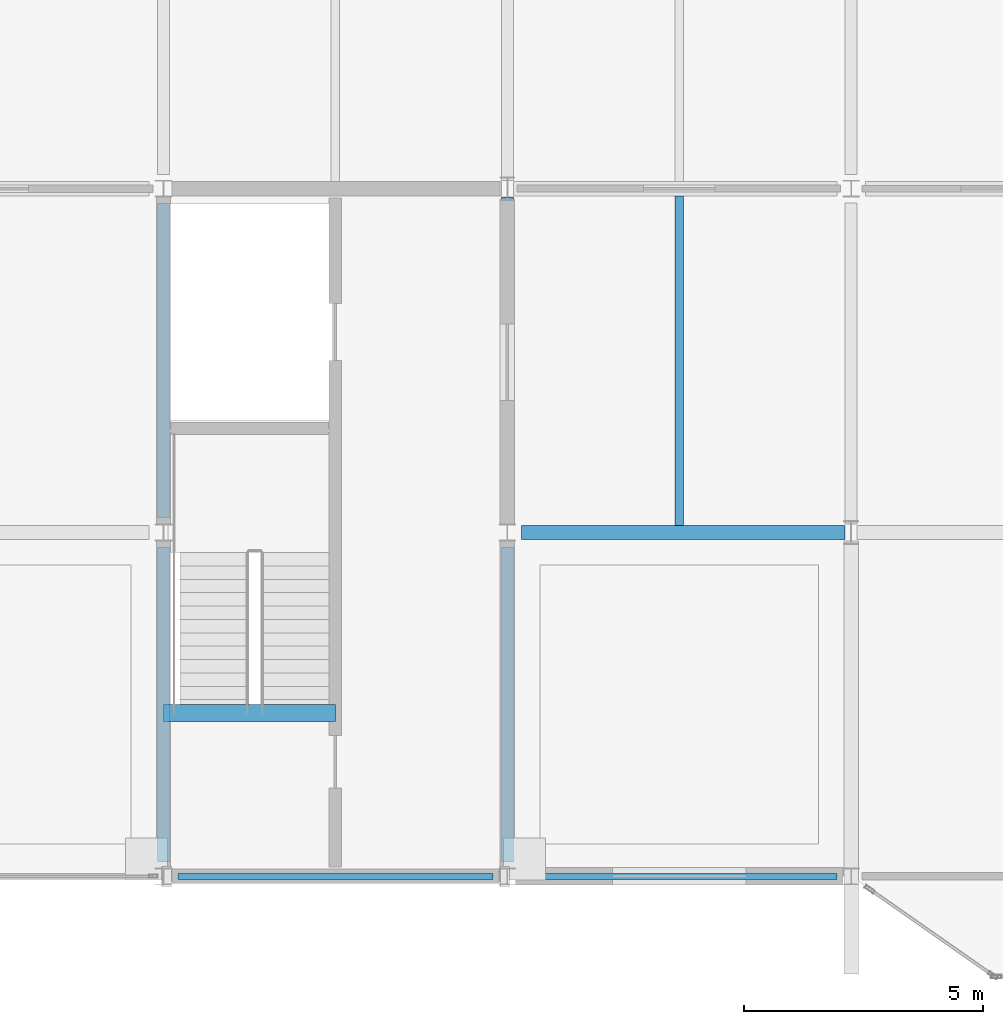
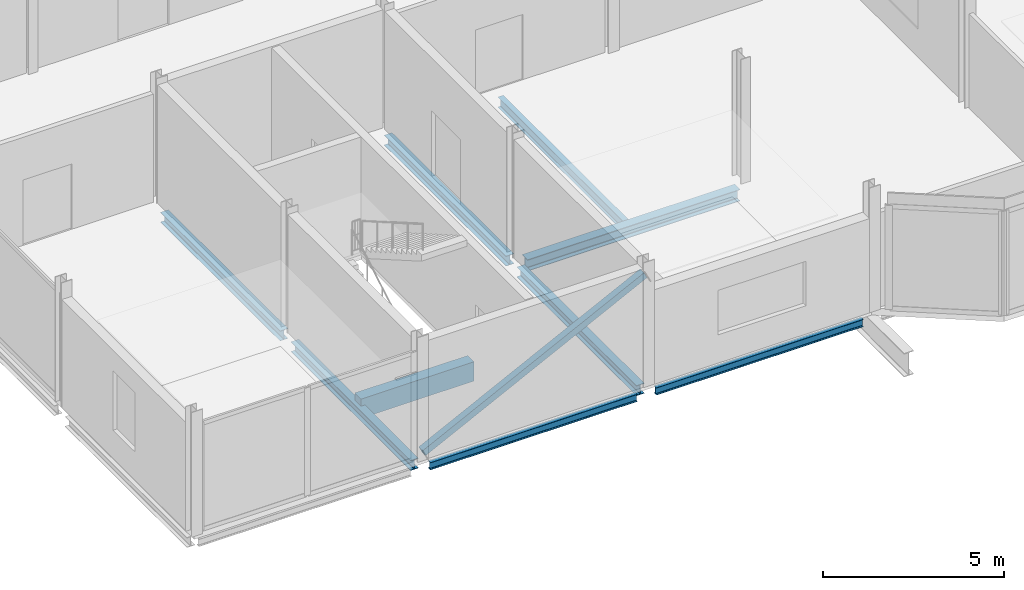
# One storey, part 6 of 26: 9 beams, 1 member.
"""IFC4 building model written with IfcOpenShell, lengths in metres."""

from ifc_helpers import new_model, si_unit, direction, frame, origin, origin_2d, place, context, subcontext, project, spatial, rectangle, hollow_rectangle, i_section, extrude, material, material_profile, profile_set, type_object, element, save


model = new_model("IFC4")

# Units and contexts
model_context = context("Model", 3, precision=1e-05, world=origin(), true_north=direction((0.0, 1.0)))
body_context = subcontext(model_context, "Body", "Model", "MODEL_VIEW")
ifc_project = project(units=[si_unit("LENGTHUNIT", "METRE"), si_unit("AREAUNIT", "SQUARE_METRE"), si_unit("VOLUMEUNIT", "CUBIC_METRE"), si_unit("PLANEANGLEUNIT", "RADIAN"), si_unit("MASSUNIT", "GRAM", prefix="KILO")], contexts=[model_context])

# Site, building, storey
site_placement = place(None, origin())
site = spatial("IfcSite", under=ifc_project, at=site_placement, CompositionType="ELEMENT")
building_placement = place(site_placement, origin())
building = spatial("IfcBuilding", under=site, at=building_placement, Name="Vesperath Aquatics Centre", CompositionType="ELEMENT")
storey_placement = place(building_placement, frame((0.0, 0.0, 19.199951171875)))
storey = spatial("IfcBuildingStorey", under=building, at=storey_placement, Name="L04", CompositionType="ELEMENT", Elevation=19.199951171875)

# Beams
ifc_material_1 = material(Name="Concrete C35", Category="concrete")
ifc_material_profile_1 = material_profile(ifc_material_1, rectangle(XDim=0.35009765625, YDim=0.64990234375, at=origin_2d()), Name="RC 350x650")
ifc_profile_set_1 = profile_set([ifc_material_profile_1], Name="Concrete C35")
beam_type_1 = type_object("IfcBeamType", Name="BM-G05", PredefinedType="BEAM", material=ifc_profile_set_1)
beam_1_placement = place(storey_placement, frame((122.39990234375, 3.419921875, -0.324951171875), z_axis=(1.0, 0.0, 0.0), x_axis=(0.0, 1.0, 0.0)))
element("IfcBeam", 1, at=beam_1_placement, inside=storey, type_object=beam_type_1, Name="Stair ST5 Landing Trimmer Beam B05 L04", PredefinedType="BEAM", context=body_context, shape_type="SweptSolid", body=[
    extrude(rectangle(XDim=0.35009765625, YDim=0.64990234375, at=origin_2d()), origin(), (0.0, 0.0, 1.0), 3.60009765625),
])
ifc_material_2 = material(Name="Steel Q355C", Category="steel")
ifc_material_profile_2 = material_profile(ifc_material_2, i_section(OverallWidth=0.300048828125, OverallDepth=0.389892578125, WebThickness=0.010009765625, FlangeThickness=0.01611328125, FilletRadius=0.02197265625, at=origin_2d()), Name="HM 390x300x10x16")
ifc_profile_set_2 = profile_set([ifc_material_profile_2], Name="Steel Q355C")
beam_type_2 = type_object("IfcBeamType", Name="BM-G11", PredefinedType="BEAM", material=ifc_profile_set_2)
beam_2_placement = place(storey_placement, frame((129.89990234375, 7.199951171875, -0.43505859375), z_axis=(1.0, 0.0, 0.0), x_axis=(0.0, 1.0, 0.0)))
element("IfcBeam", 2, at=beam_2_placement, inside=storey, type_object=beam_type_2, Name="Floor Girder B11 L04 B 19-20", PredefinedType="BEAM", context=body_context, shape_type="SweptSolid", body=[
    extrude(i_section(OverallWidth=0.300048828125, OverallDepth=0.389892578125, WebThickness=0.010009765625, FlangeThickness=0.01611328125, FilletRadius=0.02197265625, at=origin_2d()), origin(), (0.0, 0.0, 1.0), 6.775146484375),
])
ifc_material_profile_3 = material_profile(ifc_material_2, i_section(OverallWidth=0.25, OverallDepth=0.340087890625, WebThickness=0.009033203125, FlangeThickness=0.013916015625, FilletRadius=0.02001953125, at=origin_2d()), Name="HM 340x250x9x14")
ifc_profile_set_3 = profile_set([ifc_material_profile_3], Name="Steel Q355C")
beam_type_3 = type_object("IfcBeamType", Name="BM-G12", PredefinedType="BEAM", material=ifc_profile_set_3)
beam_3_placement = place(storey_placement, frame((122.39990234375, 0.300048828125, -0.409912109375), z_axis=(0.0, 1.0, 0.0), x_axis=(-1.0, 0.0, 0.0)))
element("IfcBeam", 3, at=beam_3_placement, inside=storey, type_object=beam_type_3, Name="Floor Girder B12 L04 18 A-B", PredefinedType="BEAM", context=body_context, shape_type="SweptSolid", body=[
    extrude(i_section(OverallWidth=0.25, OverallDepth=0.340087890625, WebThickness=0.009033203125, FlangeThickness=0.013916015625, FilletRadius=0.02001953125, at=origin_2d()), origin(), (0.0, 0.0, 1.0), 6.599853515625),
])
beam_4_placement = place(storey_placement, frame((122.39990234375, 7.5, -0.409912109375), z_axis=(0.0, 1.0, 0.0), x_axis=(-1.0, 0.0, 0.0)))
element("IfcBeam", 4, at=beam_4_placement, inside=storey, type_object=beam_type_3, Name="Floor Girder B12 L04 18 B-C", PredefinedType="BEAM", context=body_context, shape_type="SweptSolid", body=[
    extrude(i_section(OverallWidth=0.25, OverallDepth=0.340087890625, WebThickness=0.009033203125, FlangeThickness=0.013916015625, FilletRadius=0.02001953125, at=origin_2d()), origin(), (0.0, 0.0, 1.0), 6.60009765625),
])
beam_5_placement = place(storey_placement, frame((129.60009765625, 0.300048828125, -0.409912109375), z_axis=(0.0, 1.0, 0.0), x_axis=(-1.0, 0.0, 0.0)))
element("IfcBeam", 5, at=beam_5_placement, inside=storey, type_object=beam_type_3, Name="Floor Girder B12 L04 19 A-B", PredefinedType="BEAM", context=body_context, shape_type="SweptSolid", body=[
    extrude(i_section(OverallWidth=0.25, OverallDepth=0.340087890625, WebThickness=0.009033203125, FlangeThickness=0.013916015625, FilletRadius=0.02001953125, at=origin_2d()), origin(), (0.0, 0.0, 1.0), 6.599853515625),
])
beam_6_placement = place(storey_placement, frame((129.60009765625, 7.5, -0.409912109375), z_axis=(0.0, 1.0, 0.0), x_axis=(-1.0, 0.0, 0.0)))
element("IfcBeam", 6, at=beam_6_placement, inside=storey, type_object=beam_type_3, Name="Floor Girder B12 L04 19 B-C", PredefinedType="BEAM", context=body_context, shape_type="SweptSolid", body=[
    extrude(i_section(OverallWidth=0.25, OverallDepth=0.340087890625, WebThickness=0.009033203125, FlangeThickness=0.013916015625, FilletRadius=0.02001953125, at=origin_2d()), origin(), (0.0, 0.0, 1.0), 6.72509765625),
])
ifc_material_profile_4 = material_profile(ifc_material_2, i_section(OverallWidth=0.175048828125, OverallDepth=0.35009765625, WebThickness=0.007080078125, FlangeThickness=0.010986328125, FilletRadius=0.012939453125, at=origin_2d()), Name="HN 350x175x7x11")
ifc_profile_set_4 = profile_set([ifc_material_profile_4], Name="Steel Q355C")
beam_type_4 = type_object("IfcBeamType", Name="BM-J05", PredefinedType="JOIST", material=ifc_profile_set_4)
beam_7_placement = place(storey_placement, frame((133.199951171875, 7.35009765625, -0.4150390625), z_axis=(0.0, 1.0, 0.0), x_axis=(-1.0, 0.0, 0.0)))
element("IfcBeam", 7, at=beam_7_placement, inside=storey, type_object=beam_type_4, Name="Secondary Floor Joist J05 L04 19/B", PredefinedType="JOIST", context=body_context, shape_type="SweptSolid", body=[
    extrude(i_section(OverallWidth=0.175048828125, OverallDepth=0.35009765625, WebThickness=0.007080078125, FlangeThickness=0.010986328125, FilletRadius=0.012939453125, at=origin_2d()), origin(), (0.0, 0.0, 1.0), 6.89990234375),
])
ifc_material_profile_5 = material_profile(ifc_material_2, i_section(OverallWidth=0.125, OverallDepth=0.25, WebThickness=0.006103515625, FlangeThickness=0.009033203125, FilletRadius=0.010009765625, at=origin_2d()), Name="HN 250x125x6x9")
ifc_profile_set_5 = profile_set([ifc_material_profile_5], Name="Steel Q355C")
beam_type_5 = type_object("IfcBeamType", Name="BM-LN01", PredefinedType="LINTEL", material=ifc_profile_set_5)
for number, where, z_axis, x_axis, name in (
    (8, (122.699951171875, 0.0, -0.364990234375), (1.0, 0.0, 0.0), (0.0, 1.0, 0.0), "Floor Girder LN01 L04 A 18-19"),
    (9, (129.89990234375, 0.0, -0.364990234375), (1.0, 0.0, 0.0), (0.0, 1.0, 0.0), "Floor Girder LN01 L04 A 19-20"),
):
    element("IfcBeam", number, at=place(storey_placement, frame(where, z_axis=z_axis, x_axis=x_axis)), inside=storey, type_object=beam_type_5, Name=name, PredefinedType="LINTEL", context=body_context, shape_type="SweptSolid", body=[
        extrude(i_section(OverallWidth=0.125, OverallDepth=0.25, WebThickness=0.006103515625, FlangeThickness=0.009033203125, FilletRadius=0.010009765625, at=origin_2d()), origin(), (0.0, 0.0, 1.0), 6.60009765625),
    ])

# Member
ifc_material_3 = material(Name="Steel Q355D", Category="steel")
ifc_material_profile_6 = material_profile(ifc_material_3, hollow_rectangle(XDim=0.219970703125, YDim=0.219970703125, WallThickness=0.010009765625, at=origin_2d()), Name="SHS 220x220x10")
ifc_profile_set_6 = profile_set([ifc_material_profile_6], Name="Steel Q355D")
member_type = type_object("IfcMemberType", Name="MB-BR02", PredefinedType="BRACE", material=ifc_profile_set_6)
member_placement = place(storey_placement, frame((122.471435546875, 0.0, 0.185791015625), z_axis=(0.894427191, 0.0, 0.4472135955), x_axis=(0.0, 1.0, 0.0)))
element("IfcMember", 10, at=member_placement, inside=storey, type_object=member_type, Name="Lateral Braced Frame Strut C5_S L04", PredefinedType="BRACE", context=body_context, shape_type="SweptSolid", body=[
    extrude(hollow_rectangle(XDim=0.219970703125, YDim=0.219970703125, WallThickness=0.010009765625, at=origin_2d()), origin(), (0.0, 0.0, 1.0), 7.89013671875),
])

save(model, "model.ifc")
